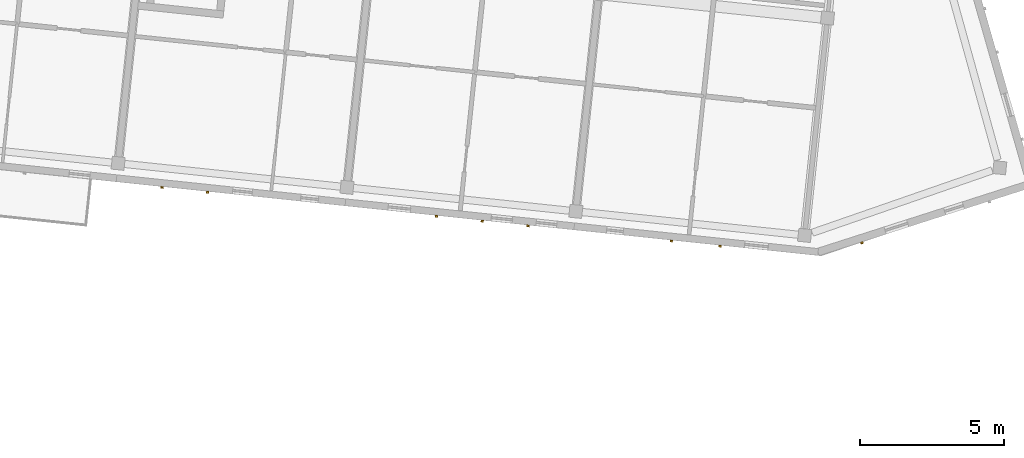
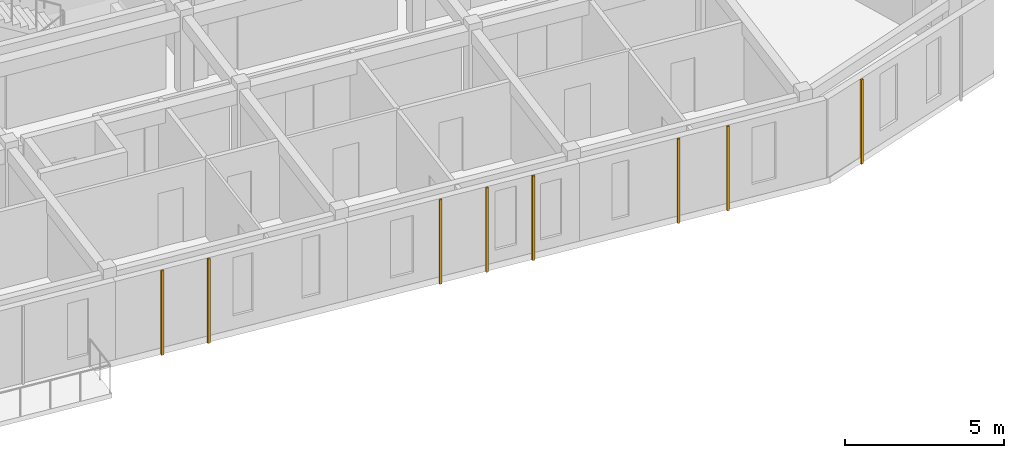
# One storey, part 53 of 56: 8 coverings.
"""IFC4 building model written with IfcOpenShell, lengths in metres."""

from ifc_helpers import new_model, si_unit, direction, frame, origin, origin_2d, place, context, subcontext, project, spatial, rectangle, extrude, material, layer, layer_set, type_object, element, save


model = new_model("IFC4")

# Units and contexts
model_context = context("Model", 3, precision=1e-05, world=origin(), true_north=direction((0.0, 1.0)))
body_context = subcontext(model_context, "Body", "Model", "MODEL_VIEW")
ifc_project = project(units=[si_unit("LENGTHUNIT", "METRE"), si_unit("AREAUNIT", "SQUARE_METRE"), si_unit("VOLUMEUNIT", "CUBIC_METRE"), si_unit("PLANEANGLEUNIT", "RADIAN"), si_unit("MASSUNIT", "GRAM", prefix="KILO")], contexts=[model_context])

# Site, building, storey
site_placement = place(None, origin())
site = spatial("IfcSite", under=ifc_project, at=site_placement, CompositionType="ELEMENT")
building_placement = place(site_placement, origin())
building = spatial("IfcBuilding", under=site, at=building_placement, Name="Kestramere Prow Commons", CompositionType="ELEMENT")
storey_placement = place(building_placement, frame((0.0, 0.0, 27.89990234375)))
storey = spatial("IfcBuildingStorey", under=building, at=storey_placement, Name="L08", CompositionType="ELEMENT", Elevation=27.89990234375)

# Coverings
ifc_material = material(Name="Weathered Zinc-Titanium Standing-Seam Cladding")
ifc_layer = layer(ifc_material, 0.074951171875)
ifc_layer_set = layer_set([ifc_layer], Name="Weathered Zinc-Titanium Standing-Seam Cladding")
covering_type = type_object("IfcCoveringType", Name="COV-CLAD-SEAM", PredefinedType="CLADDING", material=ifc_layer_set)
for number, where, z_axis, x_axis, name in (
    (1, (136.980224609375, 91.282958984375, -0.25), (0.0, 0.0, 1.0), (-0.994521895368, 0.104528463268, 0.0), "EW-B-L08-S-3 Standing-Seam Rib 3"),
    (2, (135.388916015625, 91.4501953125, -0.25), (0.0, 0.0, 1.0), (-0.994521895368, 0.104528463268, 0.0), "EW-B-L08-S-3 Standing-Seam Rib 4"),
    (3, (148.118896484375, 90.1123046875, -0.25), (0.0, 0.0, 1.0), (-0.994521895368, 0.104528463268, 0.0), "EW-B-L08-S-4 Standing-Seam Rib 1"),
    (4, (146.527587890625, 90.279541015625, -0.25), (0.0, 0.0, 1.0), (-0.994521895368, 0.104528463268, 0.0), "EW-B-L08-S-4 Standing-Seam Rib 2"),
    (5, (144.936279296875, 90.44677734375, -0.25), (0.0, 0.0, 1.0), (-0.994521895368, 0.104528463268, 0.0), "EW-B-L08-S-4 Standing-Seam Rib 3"),
    (6, (154.797119140625, 89.410400390625, -0.25), (0.0, 0.0, 1.0), (-0.994521895368, 0.104528463268, 0.0), "EW-B-L08-S-5 Standing-Seam Rib 2"),
    (7, (153.101318359375, 89.588623046875, -0.25), (0.0, 0.0, 1.0), (-0.994521895368, 0.104528463268, 0.0), "EW-B-L08-S-5 Standing-Seam Rib 3"),
    (8, (159.73046875, 89.524169921875, -0.25), (0.0, 0.0, 1.0), (-0.952283464374, -0.305215011884, 0.0), "EW-B-L08-PRW-S Standing-Seam Rib 4"),
):
    element("IfcCovering", number, at=place(storey_placement, frame(where, z_axis=z_axis, x_axis=x_axis)), inside=storey, type_object=covering_type, Name=name, PredefinedType="CLADDING", context=body_context, shape_type="SweptSolid", body=[
        extrude(rectangle(XDim=0.0849609375, YDim=0.06494140625, at=origin_2d()), origin(), (0.0, 0.0, 1.0), 3.25),
    ])

save(model, "model.ifc")
